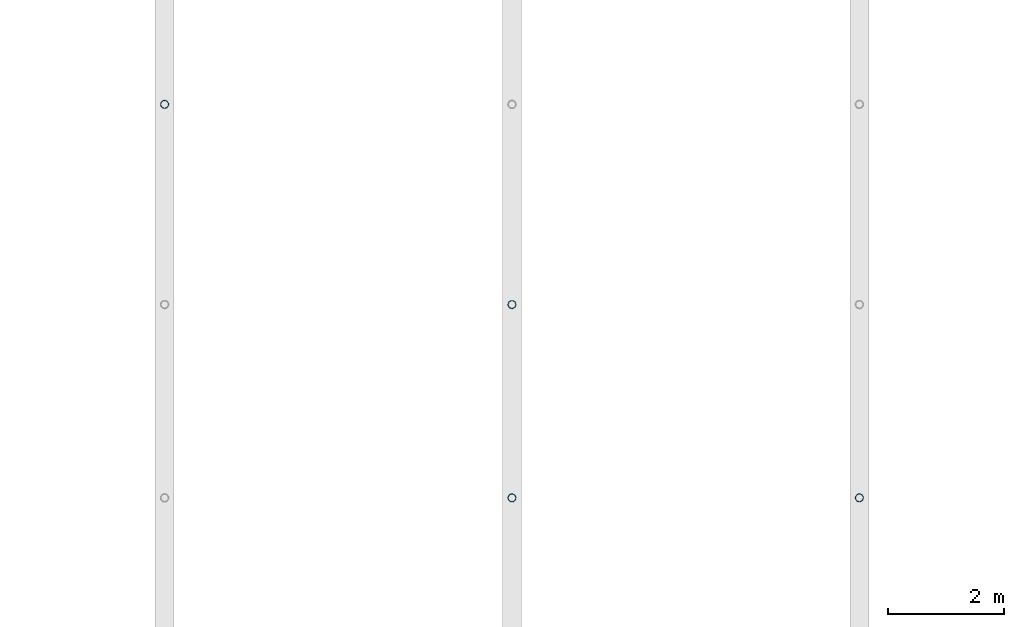
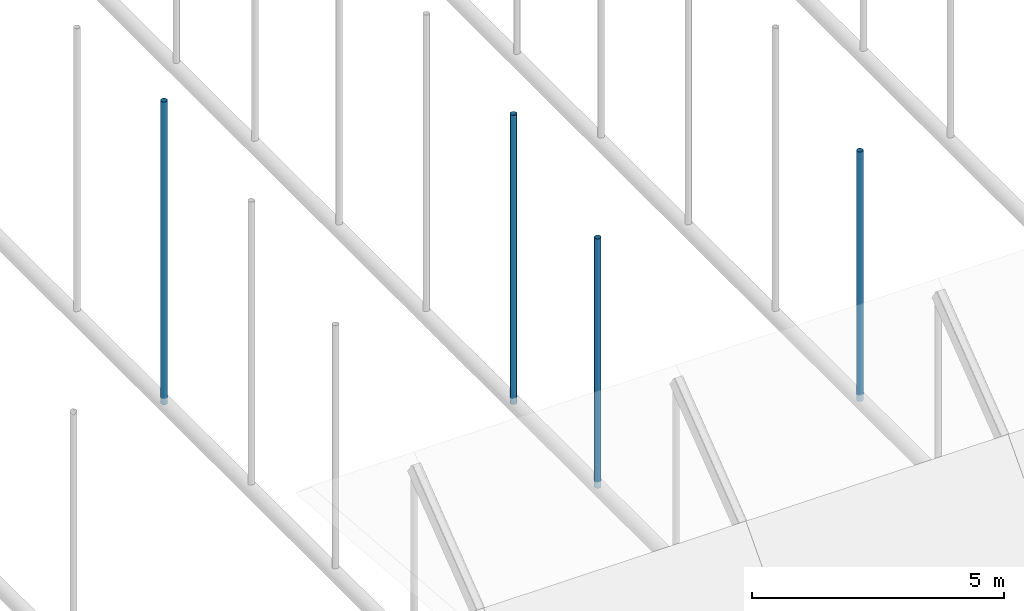
# One storey, part 47 of 116: 4 members.
"""IFC4 building model written with IfcOpenShell, lengths in metres."""

from ifc_helpers import new_model, si_unit, direction, frame, origin, origin_2d, place, context, subcontext, project, spatial, hollow_circle, extrude, material, material_profile, profile_set, type_object, element, save


model = new_model("IFC4")

# Units and contexts
model_context = context("Model", 3, precision=1e-05, world=origin(), true_north=direction((0.0, 1.0)))
body_context = subcontext(model_context, "Body", "Model", "MODEL_VIEW")
ifc_project = project(units=[si_unit("LENGTHUNIT", "METRE"), si_unit("AREAUNIT", "SQUARE_METRE"), si_unit("VOLUMEUNIT", "CUBIC_METRE"), si_unit("PLANEANGLEUNIT", "RADIAN"), si_unit("MASSUNIT", "GRAM", prefix="KILO")], contexts=[model_context])

# Site, building, storey
site_placement = place(None, origin())
site = spatial("IfcSite", under=ifc_project, at=site_placement, CompositionType="ELEMENT")
building_placement = place(site_placement, origin())
building = spatial("IfcBuilding", under=site, at=building_placement, Name="Varnakota Square Police Headquarters", CompositionType="ELEMENT")
storey_placement = place(building_placement, frame((0.0, 0.0, 9.300048828125)))
storey = spatial("IfcBuildingStorey", under=building, at=storey_placement, Name="L02", CompositionType="ELEMENT", Elevation=9.300048828125)

# Members
ifc_material = material(Name="Steel IS 2062 Grade 350", Category="steel")
ifc_material_profile = material_profile(ifc_material, hollow_circle(Radius=0.06982421875, WallThickness=0.006103515625, at=origin_2d()), Name="CHS 139.7x6.0")
ifc_profile_set = profile_set([ifc_material_profile], Name="Steel IS 2062 Grade 350")
member_type = type_object("IfcMemberType", Name="MEM-HNG-CHS139", PredefinedType="STRUT", material=ifc_profile_set)
member_1_placement = place(storey_placement, frame((72.0, 24.0, -0.150146484375), z_axis=(0.0, 0.0, 1.0), x_axis=(1.0, 0.0, 0.0)))
element("IfcMember", 1, at=member_1_placement, inside=storey, type_object=member_type, Name="Barrel vault hanger strut V1-R04-N5", PredefinedType="STRUT", context=body_context, shape_type="SweptSolid", body=[
    extrude(hollow_circle(Radius=0.06982421875, WallThickness=0.006103515625, at=origin_2d()), origin(), (0.0, 0.0, 1.0), 7.326416015625),
])
member_2_placement = place(storey_placement, frame((78.0, 17.20361328125, -0.150146484375), z_axis=(0.0, 0.0, 1.0), x_axis=(1.0, 0.0, 0.0)))
element("IfcMember", 2, at=member_2_placement, inside=storey, type_object=member_type, Name="Barrel vault hanger strut V1-R05-N3", PredefinedType="STRUT", context=body_context, shape_type="SweptSolid", body=[
    extrude(hollow_circle(Radius=0.06982421875, WallThickness=0.006103515625, at=origin_2d()), origin(), (0.0, 0.0, 1.0), 6.035400390625),
])
member_3_placement = place(storey_placement, frame((78.0, 20.54248046875, -0.150146484375), z_axis=(0.0, 0.0, 1.0), x_axis=(1.0, 0.0, 0.0)))
element("IfcMember", 3, at=member_3_placement, inside=storey, type_object=member_type, Name="Barrel vault hanger strut V1-R05-N4", PredefinedType="STRUT", context=body_context, shape_type="SweptSolid", body=[
    extrude(hollow_circle(Radius=0.06982421875, WallThickness=0.006103515625, at=origin_2d()), origin(), (0.0, 0.0, 1.0), 7.0),
])
member_4_placement = place(storey_placement, frame((84.0, 17.20361328125, -0.150146484375), z_axis=(0.0, 0.0, 1.0), x_axis=(1.0, 0.0, 0.0)))
element("IfcMember", 4, at=member_4_placement, inside=storey, type_object=member_type, Name="Barrel vault hanger strut V1-R06-N3", PredefinedType="STRUT", context=body_context, shape_type="SweptSolid", body=[
    extrude(hollow_circle(Radius=0.06982421875, WallThickness=0.006103515625, at=origin_2d()), origin(), (0.0, 0.0, 1.0), 6.035400390625),
])

save(model, "model.ifc")
